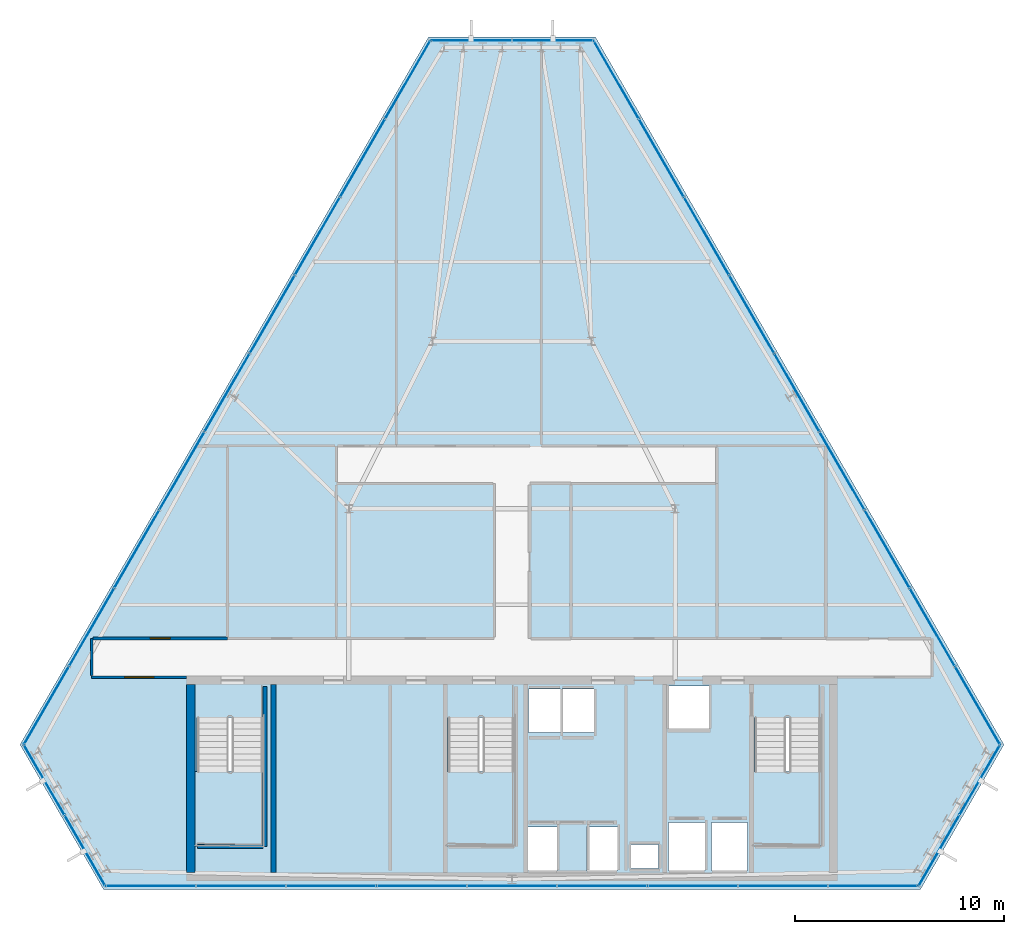
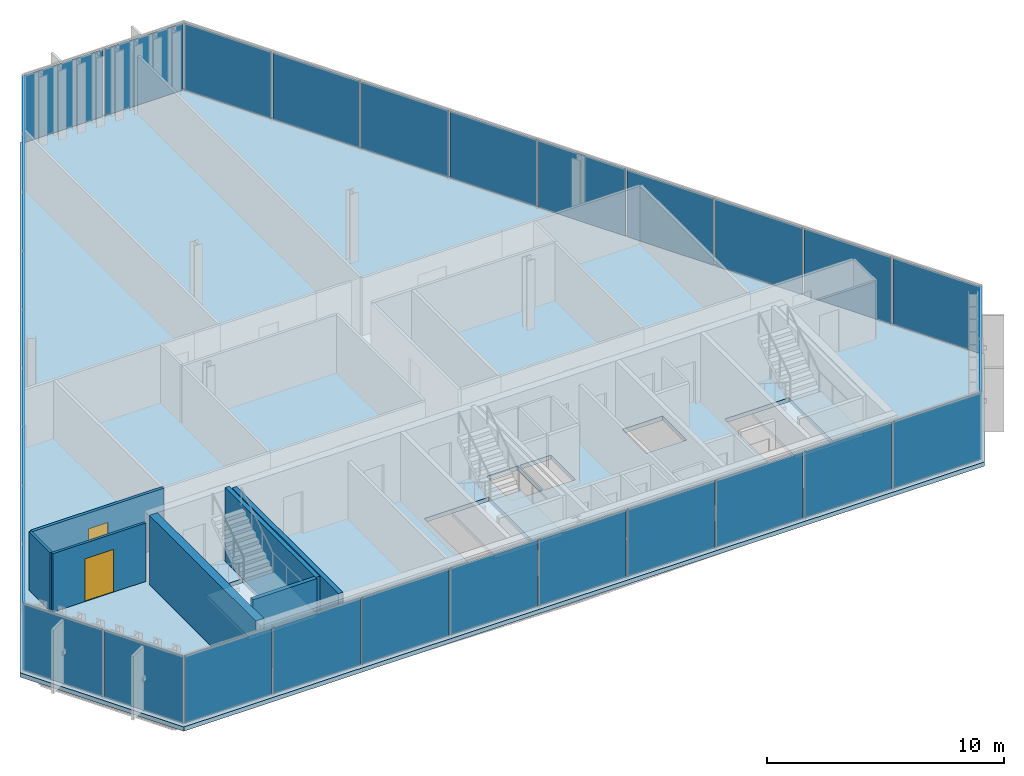
# One storey, part 23 of 30: 33 plates, 7 walls, 4 slabs, 2 doors, 2 openings, 9 elements without a shape of their own.
"""IFC4 building model written with IfcOpenShell, lengths in metres."""

from ifc_helpers import new_model, si_unit, direction, frame, frame_2d, origin, origin_2d, place, context, subcontext, project, spatial, polyline, rectangle, outline, extrude, material, layer, layer_set, type_object, element, fill, aggregate, save


model = new_model("IFC4")

# Units and contexts
model_context = context("Model", 3, precision=1e-05, world=origin(), true_north=direction((0.0, 1.0)))
body_context = subcontext(model_context, "Body", "Model", "MODEL_VIEW")
ifc_project = project(units=[si_unit("LENGTHUNIT", "METRE"), si_unit("AREAUNIT", "SQUARE_METRE"), si_unit("VOLUMEUNIT", "CUBIC_METRE"), si_unit("PLANEANGLEUNIT", "RADIAN"), si_unit("MASSUNIT", "GRAM", prefix="KILO")], contexts=[model_context])

# Site, building, storey
site_placement = place(None, origin())
site = spatial("IfcSite", under=ifc_project, at=site_placement, CompositionType="ELEMENT")
building_placement = place(site_placement, origin())
building = spatial("IfcBuilding", under=site, at=building_placement, Name="Ndaravel Arena Tower", CompositionType="ELEMENT")
storey_placement = place(building_placement, frame((0.0, 0.0, 221.800048828125)))
storey = spatial("IfcBuildingStorey", under=building, at=storey_placement, Name="L53", CompositionType="ELEMENT", Elevation=221.800048828125)

# Curtain wall, plate
ifc_material_1 = material(Name="Aluminium", Category="aluminium")
ifc_layer_1 = layer(ifc_material_1, 0.179931640625)
ifc_layer_set_1 = layer_set([ifc_layer_1], Name="Aluminium")
curtain_wall_type_1 = type_object("IfcCurtainWallType", Name="CW-SYS-01", PredefinedType="NOTDEFINED", material=ifc_layer_set_1)
curtain_wall_1_placement = place(storey_placement, origin())
curtain_wall_1 = element("IfcCurtainWall", 1, at=curtain_wall_1_placement, inside=storey, type_object=curtain_wall_type_1, Name="L53 Faceted Crystal Curtain Wall CW-L53-E02", PredefinedType="NOTDEFINED")
ifc_material_2 = material(Name="Glazing", Category="glass")
ifc_layer_2 = layer(ifc_material_2, 0.035888671875)
ifc_layer_set_2 = layer_set([ifc_layer_2], Name="Glazing")
plate_type_1 = type_object("IfcPlateType", Name="PLT-CW-OPVENT", PredefinedType="CURTAIN_PANEL", material=ifc_layer_set_2)
plate_1_placement = place(storey_placement, frame((64.359619140625, 10.228759765625, 0.06005859375), z_axis=(0.0, 0.0, 1.0), x_axis=(0.5, 0.866025403784, 0.0)))
plate_1 = element("IfcPlate", 2, at=plate_1_placement, type_object=plate_type_1, Name="CW-L53-E02 Operable Vent Sash Panel 02", PredefinedType="CURTAIN_PANEL", context=body_context, shape_type="SweptSolid", body=[
    extrude(rectangle(XDim=3.82177734375, YDim=0.035888671875, at=origin_2d()), origin(), (0.0, 0.0, 1.0), 3.4599609375),
])

curtain_wall_2_placement = place(storey_placement, origin())
curtain_wall_2 = element("IfcCurtainWall", 3, at=curtain_wall_2_placement, inside=storey, type_object=curtain_wall_type_1, Name="L53 Faceted Crystal Curtain Wall CW-L53-E04", PredefinedType="NOTDEFINED")
plate_2_placement = place(storey_placement, frame((40.049072265625, 45.57763671875, 0.06005859375), z_axis=(0.0, 0.0, 1.0), x_axis=(-1.0, 0.0, 0.0)))
plate_2 = element("IfcPlate", 4, at=plate_2_placement, type_object=plate_type_1, Name="CW-L53-E04 Operable Vent Sash Panel 02", PredefinedType="CURTAIN_PANEL", context=body_context, shape_type="SweptSolid", body=[
    extrude(rectangle(XDim=3.82177734375, YDim=0.035888671875, at=origin_2d()), origin(), (0.0, 0.0, 1.0), 3.4599609375),
])

ifc_material_3 = material(Name="Aluminium", Category="aluminium")
ifc_layer_3 = layer(ifc_material_3, 0.179931640625)
ifc_layer_set_3 = layer_set([ifc_layer_3], Name="Aluminium")
curtain_wall_type_2 = type_object("IfcCurtainWallType", Name="CW-SYS-02", PredefinedType="NOTDEFINED", material=ifc_layer_set_3)
curtain_wall_3_placement = place(storey_placement, origin())
curtain_wall_3 = element("IfcCurtainWall", 5, at=curtain_wall_3_placement, inside=storey, type_object=curtain_wall_type_2, Name="L53 Faceted Crystal Curtain Wall CW-L53-E06", PredefinedType="NOTDEFINED")
plate_3_placement = place(storey_placement, frame((21.59130859375, 6.849609375, 0.06005859375), z_axis=(0.0, 0.0, 1.0), x_axis=(0.5, -0.866025403784, 0.0)))
plate_3 = element("IfcPlate", 6, at=plate_3_placement, type_object=plate_type_1, Name="CW-L53-E06 Operable Vent Sash Panel 02", PredefinedType="CURTAIN_PANEL", context=body_context, shape_type="SweptSolid", body=[
    extrude(rectangle(XDim=3.82177734375, YDim=0.035888671875, at=origin_2d()), origin(), (0.0, 0.0, 1.0), 3.4599609375),
])

# Plate
ifc_material_4 = material(Name="Glazing", Category="glass")
ifc_layer_4 = layer(ifc_material_4, 0.031982421875)
ifc_layer_set_4 = layer_set([ifc_layer_4], Name="Glazing")
plate_type_2 = type_object("IfcPlateType", Name="PLT-GLZ-FRIT35", PredefinedType="CURTAIN_PANEL", material=ifc_layer_set_4)
plate_4_placement = place(storey_placement, frame((62.40869140625, 6.849609375, 0.06005859375), z_axis=(0.0, 0.0, 1.0), x_axis=(0.5, 0.866025403784, 0.0)))
plate_4 = element("IfcPlate", 7, at=plate_4_placement, type_object=plate_type_2, Name="CW-L53-E02 Vision Glass Panel 01", PredefinedType="CURTAIN_PANEL", context=body_context, shape_type="SweptSolid", body=[
    extrude(rectangle(XDim=3.82177734375, YDim=0.035888671875, at=origin_2d()), origin(), (0.0, 0.0, 1.0), 3.4599609375),
])

aggregate(curtain_wall_1, [plate_4, plate_1])

plate_5_placement = place(storey_placement, frame((43.950927734375, 45.57763671875, 0.06005859375), z_axis=(0.0, 0.0, 1.0), x_axis=(-1.0, 0.0, 0.0)))
plate_5 = element("IfcPlate", 8, at=plate_5_placement, type_object=plate_type_2, Name="CW-L53-E04 Vision Glass Panel 01", PredefinedType="CURTAIN_PANEL", context=body_context, shape_type="SweptSolid", body=[
    extrude(rectangle(XDim=3.82177734375, YDim=0.035888671875, at=origin_2d()), origin(), (0.0, 0.0, 1.0), 3.4599609375),
])

aggregate(curtain_wall_2, [plate_5, plate_2])

ifc_material_5 = material(Name="Glazing", Category="glass")
ifc_layer_5 = layer(ifc_material_5, 0.035888671875)
ifc_layer_set_5 = layer_set([ifc_layer_5], Name="Glazing")
plate_type_3 = type_object("IfcPlateType", Name="PLT-GLZ-FRIT55", PredefinedType="CURTAIN_PANEL", material=ifc_layer_set_5)
plate_6_placement = place(storey_placement, frame((19.640380859375, 10.228759765625, 0.06005859375), z_axis=(0.0, 0.0, 1.0), x_axis=(0.5, -0.866025403784, 0.0)))
plate_6 = element("IfcPlate", 9, at=plate_6_placement, type_object=plate_type_3, Name="CW-L53-E06 Vision Glass Panel 01", PredefinedType="CURTAIN_PANEL", context=body_context, shape_type="SweptSolid", body=[
    extrude(rectangle(XDim=3.82177734375, YDim=0.035888671875, at=origin_2d()), origin(), (0.0, 0.0, 1.0), 3.4599609375),
])

aggregate(curtain_wall_3, [plate_6, plate_3])

# Curtain wall, plates
ifc_material_6 = material(Name="Aluminium", Category="aluminium")
ifc_layer_6 = layer(ifc_material_6, 0.179931640625)
ifc_layer_set_6 = layer_set([ifc_layer_6], Name="Aluminium")
curtain_wall_type_3 = type_object("IfcCurtainWallType", Name="CW-SYS-03", PredefinedType="NOTDEFINED", material=ifc_layer_set_6)
curtain_wall_4_placement = place(storey_placement, origin())
curtain_wall_4 = element("IfcCurtainWall", 10, at=curtain_wall_4_placement, inside=storey, type_object=curtain_wall_type_3, Name="L53 Faceted Crystal Curtain Wall CW-L53-E01", PredefinedType="NOTDEFINED")
ifc_material_7 = material(Name="Glazing", Category="glass")
ifc_layer_7 = layer(ifc_material_7, 0.0400390625)
ifc_layer_set_7 = layer_set([ifc_layer_7], Name="Glazing")
plate_type_4 = type_object("IfcPlateType", Name="PLT-GLZ-LOWIRON", PredefinedType="CURTAIN_PANEL", material=ifc_layer_set_7)
plate_7_placement = place(storey_placement, frame((24.72607421875, 5.159912109375, 0.06005859375), z_axis=(0.0, 0.0, 1.0), x_axis=(1.0, 0.0, 0.0)))
plate_7 = element("IfcPlate", 11, at=plate_7_placement, type_object=plate_type_4, Name="CW-L53-E01 Vision Glass Panel 01", PredefinedType="CURTAIN_PANEL", context=body_context, shape_type="SweptSolid", body=[
    extrude(rectangle(XDim=4.238525390625, YDim=0.035888671875, at=origin_2d()), origin(), (0.0, 0.0, 1.0), 3.4599609375),
])
plate_8_placement = place(storey_placement, frame((29.04443359375, 5.159912109375, 0.06005859375), z_axis=(0.0, 0.0, 1.0), x_axis=(1.0, 0.0, 0.0)))
plate_8 = element("IfcPlate", 12, at=plate_8_placement, type_object=plate_type_4, Name="CW-L53-E01 Vision Glass Panel 02", PredefinedType="CURTAIN_PANEL", context=body_context, shape_type="SweptSolid", body=[
    extrude(rectangle(XDim=4.238525390625, YDim=0.035888671875, at=origin_2d()), origin(), (0.0, 0.0, 1.0), 3.4599609375),
])
plate_9_placement = place(storey_placement, frame((33.363037109375, 5.159912109375, 0.06005859375), z_axis=(0.0, 0.0, 1.0), x_axis=(1.0, 0.0, 0.0)))
plate_9 = element("IfcPlate", 13, at=plate_9_placement, type_object=plate_type_4, Name="CW-L53-E01 Vision Glass Panel 03", PredefinedType="CURTAIN_PANEL", context=body_context, shape_type="SweptSolid", body=[
    extrude(rectangle(XDim=4.238525390625, YDim=0.035888671875, at=origin_2d()), origin(), (0.0, 0.0, 1.0), 3.4599609375),
])
plate_10_placement = place(storey_placement, frame((37.681396484375, 5.159912109375, 0.06005859375), z_axis=(0.0, 0.0, 1.0), x_axis=(1.0, 0.0, 0.0)))
plate_10 = element("IfcPlate", 14, at=plate_10_placement, type_object=plate_type_4, Name="CW-L53-E01 Vision Glass Panel 04", PredefinedType="CURTAIN_PANEL", context=body_context, shape_type="SweptSolid", body=[
    extrude(rectangle(XDim=4.238525390625, YDim=0.035888671875, at=origin_2d()), origin(), (0.0, 0.0, 1.0), 3.4599609375),
])
plate_11_placement = place(storey_placement, frame((42.0, 5.159912109375, 0.06005859375), z_axis=(0.0, 0.0, 1.0), x_axis=(1.0, 0.0, 0.0)))
plate_11 = element("IfcPlate", 15, at=plate_11_placement, type_object=plate_type_4, Name="CW-L53-E01 Vision Glass Panel 05", PredefinedType="CURTAIN_PANEL", context=body_context, shape_type="SweptSolid", body=[
    extrude(rectangle(XDim=4.238525390625, YDim=0.035888671875, at=origin_2d()), origin(), (0.0, 0.0, 1.0), 3.4599609375),
])
plate_12_placement = place(storey_placement, frame((46.318603515625, 5.159912109375, 0.06005859375), z_axis=(0.0, 0.0, 1.0), x_axis=(1.0, 0.0, 0.0)))
plate_12 = element("IfcPlate", 16, at=plate_12_placement, type_object=plate_type_4, Name="CW-L53-E01 Vision Glass Panel 06", PredefinedType="CURTAIN_PANEL", context=body_context, shape_type="SweptSolid", body=[
    extrude(rectangle(XDim=4.238525390625, YDim=0.035888671875, at=origin_2d()), origin(), (0.0, 0.0, 1.0), 3.4599609375),
])
plate_13_placement = place(storey_placement, frame((50.636962890625, 5.159912109375, 0.06005859375), z_axis=(0.0, 0.0, 1.0), x_axis=(1.0, 0.0, 0.0)))
plate_13 = element("IfcPlate", 17, at=plate_13_placement, type_object=plate_type_4, Name="CW-L53-E01 Vision Glass Panel 07", PredefinedType="CURTAIN_PANEL", context=body_context, shape_type="SweptSolid", body=[
    extrude(rectangle(XDim=4.238525390625, YDim=0.035888671875, at=origin_2d()), origin(), (0.0, 0.0, 1.0), 3.4599609375),
])
plate_14_placement = place(storey_placement, frame((54.95556640625, 5.159912109375, 0.06005859375), z_axis=(0.0, 0.0, 1.0), x_axis=(1.0, 0.0, 0.0)))
plate_14 = element("IfcPlate", 18, at=plate_14_placement, type_object=plate_type_4, Name="CW-L53-E01 Vision Glass Panel 08", PredefinedType="CURTAIN_PANEL", context=body_context, shape_type="SweptSolid", body=[
    extrude(rectangle(XDim=4.238525390625, YDim=0.035888671875, at=origin_2d()), origin(), (0.0, 0.0, 1.0), 3.4599609375),
])
plate_15_placement = place(storey_placement, frame((59.27392578125, 5.159912109375, 0.06005859375), z_axis=(0.0, 0.0, 1.0), x_axis=(1.0, 0.0, 0.0)))
plate_15 = element("IfcPlate", 19, at=plate_15_placement, type_object=plate_type_4, Name="CW-L53-E01 Vision Glass Panel 09", PredefinedType="CURTAIN_PANEL", context=body_context, shape_type="SweptSolid", body=[
    extrude(rectangle(XDim=4.238525390625, YDim=0.035888671875, at=origin_2d()), origin(), (0.0, 0.0, 1.0), 3.4599609375),
])
aggregate(curtain_wall_4, [plate_7, plate_8, plate_9, plate_10, plate_11, plate_12, plate_13, plate_14, plate_15])

curtain_wall_5_placement = place(storey_placement, origin())
curtain_wall_5 = element("IfcCurtainWall", 20, at=curtain_wall_5_placement, inside=storey, type_object=curtain_wall_type_3, Name="L53 Faceted Crystal Curtain Wall CW-L53-E03", PredefinedType="NOTDEFINED")
plate_16_placement = place(storey_placement, frame((64.255615234375, 13.7880859375, 0.06005859375), z_axis=(0.0, 0.0, 1.0), x_axis=(-0.5, 0.866025403784, 0.0)))
plate_16 = element("IfcPlate", 21, at=plate_16_placement, type_object=plate_type_4, Name="CW-L53-E03 Vision Glass Panel 01", PredefinedType="CURTAIN_PANEL", context=body_context, shape_type="SweptSolid", body=[
    extrude(rectangle(XDim=4.238525390625, YDim=0.035888671875, at=origin_2d()), origin(), (0.0, 0.0, 1.0), 3.4599609375),
])
plate_17_placement = place(storey_placement, frame((62.09619140625, 17.528076171875, 0.06005859375), z_axis=(0.0, 0.0, 1.0), x_axis=(-0.5, 0.866025403784, 0.0)))
plate_17 = element("IfcPlate", 22, at=plate_17_placement, type_object=plate_type_4, Name="CW-L53-E03 Vision Glass Panel 02", PredefinedType="CURTAIN_PANEL", context=body_context, shape_type="SweptSolid", body=[
    extrude(rectangle(XDim=4.238525390625, YDim=0.035888671875, at=origin_2d()), origin(), (0.0, 0.0, 1.0), 3.4599609375),
])
plate_18_placement = place(storey_placement, frame((59.93701171875, 21.26806640625, 0.06005859375), z_axis=(0.0, 0.0, 1.0), x_axis=(-0.5, 0.866025403784, 0.0)))
plate_18 = element("IfcPlate", 23, at=plate_18_placement, type_object=plate_type_4, Name="CW-L53-E03 Vision Glass Panel 03", PredefinedType="CURTAIN_PANEL", context=body_context, shape_type="SweptSolid", body=[
    extrude(rectangle(XDim=4.238525390625, YDim=0.035888671875, at=origin_2d()), origin(), (0.0, 0.0, 1.0), 3.4599609375),
])
plate_19_placement = place(storey_placement, frame((57.777587890625, 25.008056640625, 0.06005859375), z_axis=(0.0, 0.0, 1.0), x_axis=(-0.5, 0.866025403784, 0.0)))
plate_19 = element("IfcPlate", 24, at=plate_19_placement, type_object=plate_type_4, Name="CW-L53-E03 Vision Glass Panel 04", PredefinedType="CURTAIN_PANEL", context=body_context, shape_type="SweptSolid", body=[
    extrude(rectangle(XDim=4.238525390625, YDim=0.035888671875, at=origin_2d()), origin(), (0.0, 0.0, 1.0), 3.4599609375),
])
plate_20_placement = place(storey_placement, frame((55.618408203125, 28.748046875, 0.06005859375), z_axis=(0.0, 0.0, 1.0), x_axis=(-0.5, 0.866025403784, 0.0)))
plate_20 = element("IfcPlate", 25, at=plate_20_placement, type_object=plate_type_4, Name="CW-L53-E03 Vision Glass Panel 05", PredefinedType="CURTAIN_PANEL", context=body_context, shape_type="SweptSolid", body=[
    extrude(rectangle(XDim=4.238525390625, YDim=0.035888671875, at=origin_2d()), origin(), (0.0, 0.0, 1.0), 3.4599609375),
])
plate_21_placement = place(storey_placement, frame((53.459228515625, 32.48779296875, 0.06005859375), z_axis=(0.0, 0.0, 1.0), x_axis=(-0.5, 0.866025403784, 0.0)))
plate_21 = element("IfcPlate", 26, at=plate_21_placement, type_object=plate_type_4, Name="CW-L53-E03 Vision Glass Panel 06", PredefinedType="CURTAIN_PANEL", context=body_context, shape_type="SweptSolid", body=[
    extrude(rectangle(XDim=4.238525390625, YDim=0.035888671875, at=origin_2d()), origin(), (0.0, 0.0, 1.0), 3.4599609375),
])
plate_22_placement = place(storey_placement, frame((51.2998046875, 36.227783203125, 0.06005859375), z_axis=(0.0, 0.0, 1.0), x_axis=(-0.5, 0.866025403784, 0.0)))
plate_22 = element("IfcPlate", 27, at=plate_22_placement, type_object=plate_type_4, Name="CW-L53-E03 Vision Glass Panel 07", PredefinedType="CURTAIN_PANEL", context=body_context, shape_type="SweptSolid", body=[
    extrude(rectangle(XDim=4.238525390625, YDim=0.035888671875, at=origin_2d()), origin(), (0.0, 0.0, 1.0), 3.4599609375),
])
plate_23_placement = place(storey_placement, frame((49.140625, 39.9677734375, 0.06005859375), z_axis=(0.0, 0.0, 1.0), x_axis=(-0.5, 0.866025403784, 0.0)))
plate_23 = element("IfcPlate", 28, at=plate_23_placement, type_object=plate_type_4, Name="CW-L53-E03 Vision Glass Panel 08", PredefinedType="CURTAIN_PANEL", context=body_context, shape_type="SweptSolid", body=[
    extrude(rectangle(XDim=4.238525390625, YDim=0.035888671875, at=origin_2d()), origin(), (0.0, 0.0, 1.0), 3.4599609375),
])
plate_24_placement = place(storey_placement, frame((46.9814453125, 43.707763671875, 0.06005859375), z_axis=(0.0, 0.0, 1.0), x_axis=(-0.5, 0.866025403784, 0.0)))
plate_24 = element("IfcPlate", 29, at=plate_24_placement, type_object=plate_type_4, Name="CW-L53-E03 Vision Glass Panel 09", PredefinedType="CURTAIN_PANEL", context=body_context, shape_type="SweptSolid", body=[
    extrude(rectangle(XDim=4.238525390625, YDim=0.035888671875, at=origin_2d()), origin(), (0.0, 0.0, 1.0), 3.4599609375),
])
aggregate(curtain_wall_5, [plate_16, plate_17, plate_18, plate_19, plate_20, plate_21, plate_22, plate_23, plate_24])

curtain_wall_6_placement = place(storey_placement, origin())
curtain_wall_6 = element("IfcCurtainWall", 30, at=curtain_wall_6_placement, inside=storey, type_object=curtain_wall_type_3, Name="L53 Faceted Crystal Curtain Wall CW-L53-E05", PredefinedType="NOTDEFINED")
plate_25_placement = place(storey_placement, frame((37.0185546875, 43.707763671875, 0.06005859375), z_axis=(0.0, 0.0, 1.0), x_axis=(-0.5, -0.866025403784, 0.0)))
plate_25 = element("IfcPlate", 31, at=plate_25_placement, type_object=plate_type_4, Name="CW-L53-E05 Vision Glass Panel 01", PredefinedType="CURTAIN_PANEL", context=body_context, shape_type="SweptSolid", body=[
    extrude(rectangle(XDim=4.238525390625, YDim=0.035888671875, at=origin_2d()), origin(), (0.0, 0.0, 1.0), 3.4599609375),
])
plate_26_placement = place(storey_placement, frame((34.859375, 39.9677734375, 0.06005859375), z_axis=(0.0, 0.0, 1.0), x_axis=(-0.5, -0.866025403784, 0.0)))
plate_26 = element("IfcPlate", 32, at=plate_26_placement, type_object=plate_type_4, Name="CW-L53-E05 Vision Glass Panel 02", PredefinedType="CURTAIN_PANEL", context=body_context, shape_type="SweptSolid", body=[
    extrude(rectangle(XDim=4.238525390625, YDim=0.035888671875, at=origin_2d()), origin(), (0.0, 0.0, 1.0), 3.4599609375),
])
plate_27_placement = place(storey_placement, frame((32.7001953125, 36.227783203125, 0.06005859375), z_axis=(0.0, 0.0, 1.0), x_axis=(-0.5, -0.866025403784, 0.0)))
plate_27 = element("IfcPlate", 33, at=plate_27_placement, type_object=plate_type_4, Name="CW-L53-E05 Vision Glass Panel 03", PredefinedType="CURTAIN_PANEL", context=body_context, shape_type="SweptSolid", body=[
    extrude(rectangle(XDim=4.238525390625, YDim=0.035888671875, at=origin_2d()), origin(), (0.0, 0.0, 1.0), 3.4599609375),
])
plate_28_placement = place(storey_placement, frame((30.540771484375, 32.48779296875, 0.06005859375), z_axis=(0.0, 0.0, 1.0), x_axis=(-0.5, -0.866025403784, 0.0)))
plate_28 = element("IfcPlate", 34, at=plate_28_placement, type_object=plate_type_4, Name="CW-L53-E05 Vision Glass Panel 04", PredefinedType="CURTAIN_PANEL", context=body_context, shape_type="SweptSolid", body=[
    extrude(rectangle(XDim=4.238525390625, YDim=0.035888671875, at=origin_2d()), origin(), (0.0, 0.0, 1.0), 3.4599609375),
])
plate_29_placement = place(storey_placement, frame((28.381591796875, 28.747802734375, 0.06005859375), z_axis=(0.0, 0.0, 1.0), x_axis=(-0.5, -0.866025403784, 0.0)))
plate_29 = element("IfcPlate", 35, at=plate_29_placement, type_object=plate_type_4, Name="CW-L53-E05 Vision Glass Panel 05", PredefinedType="CURTAIN_PANEL", context=body_context, shape_type="SweptSolid", body=[
    extrude(rectangle(XDim=4.238525390625, YDim=0.035888671875, at=origin_2d()), origin(), (0.0, 0.0, 1.0), 3.4599609375),
])
plate_30_placement = place(storey_placement, frame((26.222412109375, 25.008056640625, 0.06005859375), z_axis=(0.0, 0.0, 1.0), x_axis=(-0.5, -0.866025403784, 0.0)))
plate_30 = element("IfcPlate", 36, at=plate_30_placement, type_object=plate_type_4, Name="CW-L53-E05 Vision Glass Panel 06", PredefinedType="CURTAIN_PANEL", context=body_context, shape_type="SweptSolid", body=[
    extrude(rectangle(XDim=4.238525390625, YDim=0.035888671875, at=origin_2d()), origin(), (0.0, 0.0, 1.0), 3.4599609375),
])
plate_31_placement = place(storey_placement, frame((24.06298828125, 21.26806640625, 0.06005859375), z_axis=(0.0, 0.0, 1.0), x_axis=(-0.5, -0.866025403784, 0.0)))
plate_31 = element("IfcPlate", 37, at=plate_31_placement, type_object=plate_type_4, Name="CW-L53-E05 Vision Glass Panel 07", PredefinedType="CURTAIN_PANEL", context=body_context, shape_type="SweptSolid", body=[
    extrude(rectangle(XDim=4.238525390625, YDim=0.035888671875, at=origin_2d()), origin(), (0.0, 0.0, 1.0), 3.4599609375),
])
plate_32_placement = place(storey_placement, frame((21.90380859375, 17.528076171875, 0.06005859375), z_axis=(0.0, 0.0, 1.0), x_axis=(-0.5, -0.866025403784, 0.0)))
plate_32 = element("IfcPlate", 38, at=plate_32_placement, type_object=plate_type_4, Name="CW-L53-E05 Vision Glass Panel 08", PredefinedType="CURTAIN_PANEL", context=body_context, shape_type="SweptSolid", body=[
    extrude(rectangle(XDim=4.238525390625, YDim=0.035888671875, at=origin_2d()), origin(), (0.0, 0.0, 1.0), 3.4599609375),
])
plate_33_placement = place(storey_placement, frame((19.744384765625, 13.7880859375, 0.06005859375), z_axis=(0.0, 0.0, 1.0), x_axis=(-0.5, -0.866025403784, 0.0)))
plate_33 = element("IfcPlate", 39, at=plate_33_placement, type_object=plate_type_4, Name="CW-L53-E05 Vision Glass Panel 09", PredefinedType="CURTAIN_PANEL", context=body_context, shape_type="SweptSolid", body=[
    extrude(rectangle(XDim=4.238525390625, YDim=0.035888671875, at=origin_2d()), origin(), (0.0, 0.0, 1.0), 3.4599609375),
])
aggregate(curtain_wall_6, [plate_25, plate_26, plate_27, plate_28, plate_29, plate_30, plate_31, plate_32, plate_33])

# Stair, slab
ifc_material_8 = material(Name="Concrete C40/50", Category="concrete")
stair_type = type_object("IfcStairType", Name="STAIR-CORE-HT", PredefinedType="HALF_TURN_STAIR", material=ifc_material_8)
stair_1_placement = place(storey_placement, origin())
stair_1 = element("IfcStair", 40, at=stair_1_placement, inside=storey, type_object=stair_type, Name="L53 ST-1", PredefinedType="HALF_TURN_STAIR")
ifc_material_9 = material(Name="Concrete C40/50", Category="concrete")
ifc_layer_8 = layer(ifc_material_9, 0.199951171875)
ifc_layer_set_8 = layer_set([ifc_layer_8], Name="Concrete C40/50")
slab_type_1 = type_object("IfcSlabType", Name="SLAB-STAIR-LANDING", PredefinedType="LANDING", material=ifc_layer_set_8)
slab_1_placement = place(storey_placement, frame((0.0, 0.0, 1.699951171875)))
slab_1 = element("IfcSlab", 41, at=slab_1_placement, type_object=slab_type_1, Name="ST-1 landing 1", PredefinedType="LANDING", context=body_context, shape_type="SweptSolid", body=[
    extrude(outline(polyline([(26.81005859375, 10.6298828125), (26.81005859375, 7.070068359375), (30.169921875, 7.070068359375), (30.169921875, 10.6298828125), (26.81005859375, 10.6298828125)])), origin(), (0.0, 0.0, 1.0), 0.199951171875),
])
aggregate(stair_1, [slab_1])

stair_2_placement = place(storey_placement, origin())
stair_2 = element("IfcStair", 42, at=stair_2_placement, inside=storey, type_object=stair_type, Name="L53 ST-2", PredefinedType="HALF_TURN_STAIR")
slab_2_placement = place(storey_placement, frame((0.0, 0.0, 1.699951171875)))
slab_2 = element("IfcSlab", 43, at=slab_2_placement, type_object=slab_type_1, Name="ST-2 landing 1", PredefinedType="LANDING", context=body_context, shape_type="SweptSolid", body=[
    extrude(outline(polyline([(38.81005859375, 10.6298828125), (38.81005859375, 7.070068359375), (42.169921875, 7.070068359375), (42.169921875, 10.6298828125), (38.81005859375, 10.6298828125)])), origin(), (0.0, 0.0, 1.0), 0.199951171875),
])
aggregate(stair_2, [slab_2])

stair_3_placement = place(storey_placement, origin())
stair_3 = element("IfcStair", 44, at=stair_3_placement, inside=storey, type_object=stair_type, Name="L53 ST-3", PredefinedType="HALF_TURN_STAIR")
slab_3_placement = place(storey_placement, frame((0.0, 0.0, 1.699951171875)))
slab_3 = element("IfcSlab", 45, at=slab_3_placement, type_object=slab_type_1, Name="ST-3 landing 1", PredefinedType="LANDING", context=body_context, shape_type="SweptSolid", body=[
    extrude(outline(polyline([(53.4599609375, 10.6298828125), (53.4599609375, 7.070068359375), (56.820068359375, 7.070068359375), (56.820068359375, 10.6298828125), (53.4599609375, 10.6298828125)])), origin(), (0.0, 0.0, 1.0), 0.199951171875),
])
aggregate(stair_3, [slab_3])

# Slab
ifc_material_10 = material(Name="Concrete C40/50", Category="concrete")
ifc_layer_9 = layer(ifc_material_10, 0.219970703125)
ifc_layer_set_9 = layer_set([ifc_layer_9], Name="Concrete C40/50")
slab_type_2 = type_object("IfcSlabType", Name="SLAB-TWR-220", PredefinedType="FLOOR", material=ifc_layer_set_9)
slab_4_placement = place(storey_placement, frame((0.0, 0.0, -0.219970703125)))
element("IfcSlab", 46, at=slab_4_placement, inside=storey, type_object=slab_type_2, Name="L53 Structural Floor Slab", PredefinedType="FLOOR", context=body_context, shape_type="SweptSolid", body=[
    extrude(outline(polyline([(18.47998046875, 11.918212890625), (22.474365234375, 5.0), (61.525634765625, 5.0), (65.52001953125, 11.918212890625), (45.994140625, 45.73779296875), (38.005859375, 45.73779296875), (18.47998046875, 11.918212890625)]), holes=[polyline([(26.949951171875, 13.215087890625), (26.949951171875, 7.14990234375), (30.090087890625, 7.14990234375), (30.090087890625, 13.215087890625), (26.949951171875, 13.215087890625)]), polyline([(38.949951171875, 13.215087890625), (38.949951171875, 7.14990234375), (42.090087890625, 7.14990234375), (42.090087890625, 13.215087890625), (38.949951171875, 13.215087890625)]), polyline([(53.60009765625, 13.215087890625), (53.60009765625, 7.14990234375), (56.739990234375, 7.14990234375), (56.739990234375, 13.215087890625), (53.60009765625, 13.215087890625)]), polyline([(42.659912109375, 5.909912109375), (44.139892578125, 5.909912109375), (44.139892578125, 7.989990234375), (42.659912109375, 7.989990234375), (42.659912109375, 5.909912109375)]), polyline([(45.56005859375, 5.909912109375), (47.0400390625, 5.909912109375), (47.0400390625, 7.989990234375), (45.56005859375, 7.989990234375), (45.56005859375, 5.909912109375)]), polyline([(42.784912109375, 12.510009765625), (44.31494140625, 12.510009765625), (44.31494140625, 14.590087890625), (42.784912109375, 14.590087890625), (42.784912109375, 12.510009765625)]), polyline([(44.385009765625, 12.510009765625), (45.9150390625, 12.510009765625), (45.9150390625, 14.590087890625), (44.385009765625, 14.590087890625), (44.385009765625, 12.510009765625)]), polyline([(49.485107421875, 5.909912109375), (51.215087890625, 5.909912109375), (51.215087890625, 8.18994140625), (49.485107421875, 8.18994140625), (49.485107421875, 5.909912109375)]), polyline([(51.534912109375, 5.909912109375), (53.264892578125, 5.909912109375), (53.264892578125, 8.18994140625), (51.534912109375, 8.18994140625), (51.534912109375, 5.909912109375)]), polyline([(49.4599609375, 12.68505859375), (51.43994140625, 12.68505859375), (51.43994140625, 14.715087890625), (49.4599609375, 14.715087890625), (49.4599609375, 12.68505859375)]), polyline([(47.699951171875, 6.0), (49.0, 6.0), (49.0, 7.139892578125), (47.699951171875, 7.139892578125), (47.699951171875, 6.0)])]), origin(), (0.0, 0.0, 1.0), 0.219970703125),
])

# Walls
ifc_material_11 = material(Name="Concrete C50/60", Category="concrete")
ifc_layer_10 = layer(ifc_material_11, 0.219970703125)
ifc_layer_set_10 = layer_set([ifc_layer_10], Name="Concrete C50/60")
wall_type_1 = type_object("IfcWallType", Name="WALL-CORE-220", PredefinedType="SOLIDWALL", material=ifc_layer_set_10)
wall_1_placement = place(storey_placement, frame((30.60009765625, 5.800048828125, 0.0), z_axis=(0.0, 0.0, 1.0), x_axis=(0.0, 1.0, 0.0)))
element("IfcWall", 47, at=wall_1_placement, inside=storey, type_object=wall_type_1, Name="L53 Core Web Shear Wall 1", PredefinedType="SOLIDWALL", context=body_context, shape_type="SweptSolid", body=[
    extrude(rectangle(XDim=9.0, YDim=0.219970703125, at=frame_2d((4.5, 0.0))), origin(), (0.0, 0.0, 1.0), 3.579833984375),
])
ifc_material_12 = material(Name="Concrete C50/60", Category="concrete")
ifc_layer_11 = layer(ifc_material_12, 0.39990234375)
ifc_layer_set_11 = layer_set([ifc_layer_11], Name="Concrete C50/60")
wall_type_2 = type_object("IfcWallType", Name="WALL-CORE-400", PredefinedType="SOLIDWALL", material=ifc_layer_set_11)
wall_2_placement = place(storey_placement, frame((26.64990234375, 5.800048828125, 0.0), z_axis=(0.0, 0.0, 1.0), x_axis=(0.0, 1.0, 0.0)))
element("IfcWall", 48, at=wall_2_placement, inside=storey, type_object=wall_type_2, Name="L53 Core West Shear Wall", PredefinedType="SOLIDWALL", context=body_context, shape_type="SweptSolid", body=[
    extrude(rectangle(XDim=9.0, YDim=0.39990234375, at=frame_2d((4.5, 0.0))), origin(), (0.0, 0.0, 1.0), 3.579833984375),
])

# Wall, opening, door
ifc_material_13 = material(Name="Gypsum", Category="gypsum")
ifc_layer_12 = layer(ifc_material_13, 0.125)
ifc_layer_set_12 = layer_set([ifc_layer_12], Name="Gypsum")
wall_type_3 = type_object("IfcWallType", Name="WALL-PART-125", PredefinedType="PARTITIONING", material=ifc_layer_set_12)
wall_3_placement = place(storey_placement, frame((26.449951171875, 15.14990234375, 0.0), z_axis=(0.0, 0.0, 1.0), x_axis=(-1.0, 0.0, 0.0)))
wall_3 = element("IfcWall", 49, at=wall_3_placement, inside=storey, type_object=wall_type_3, Name="L53 Interior Partition 003", PredefinedType="PARTITIONING", context=body_context, shape_type="SweptSolid", body=[
    extrude(rectangle(XDim=4.541015625, YDim=0.125, at=frame_2d((2.2705078125, 0.0))), origin(), (0.0, 0.0, 1.0), 3.010498046875),
])
opening_1_placement = place(wall_3_placement, frame((1.570556640625, 0.0, 0.0)))
opening_1 = element("IfcOpeningElement", 50, at=opening_1_placement, cuts=wall_3, Name="Opening ID-02", PredefinedType="OPENING", context=body_context, shape_type="SweptSolid", body=[
    extrude(rectangle(XDim=1.39990234375, YDim=2.199951171875, at=frame_2d((0.699951171875, 1.10009765625))), frame((0.0, 0.0625, 0.0), z_axis=(0.0, -1.0, 0.0), x_axis=(1.0, 0.0, 0.0)), (0.0, 0.0, 1.0), 0.125),
])
ifc_material_14 = material(Name="Timber", Category="wood")
door_type_1 = type_object("IfcDoorType", Name="DT-04-SUITE-1400", OperationType="DOUBLE_DOOR_SINGLE_SWING", PredefinedType="DOOR", material=ifc_material_14)
door_1_placement = place(opening_1_placement, origin())
door_1 = element("IfcDoor", 51, at=door_1_placement, inside=storey, type_object=door_type_1, Name="L53 Collaborative Lounge Door", OperationType="SINGLE_SWING_RIGHT", OverallHeight=2.199951171875, OverallWidth=1.39990234375, PredefinedType="DOOR", context=body_context, shape_type="SweptSolid", body=[
    extrude(rectangle(XDim=1.39990234375, YDim=2.199951171875, at=frame_2d((0.699951171875, 1.10009765625))), frame((0.0, 0.02490234375, 0.0), z_axis=(0.0, -1.0, 0.0), x_axis=(1.0, 0.0, 0.0)), (0.0, 0.0, 1.0), 0.050048828125),
])
fill(opening_1, door_1)

# Walls
wall_4_placement = place(storey_placement, frame((21.908935546875, 15.215087890625, 0.0), z_axis=(0.0, 0.0, 1.0), x_axis=(0.0, 1.0, 0.0)))
element("IfcWall", 52, at=wall_4_placement, inside=storey, type_object=wall_type_3, Name="L53 Interior Partition 004", PredefinedType="PARTITIONING", context=body_context, shape_type="SweptSolid", body=[
    extrude(rectangle(XDim=1.784912109375, YDim=0.125, at=frame_2d((0.892578125, 0.0))), origin(), (0.0, 0.0, 1.0), 3.010498046875),
])
ifc_material_15 = material(Name="Concrete C40/50", Category="concrete")
ifc_layer_13 = layer(ifc_material_15, 0.199951171875)
ifc_layer_set_13 = layer_set([ifc_layer_13], Name="Concrete C40/50")
wall_type_4 = type_object("IfcWallType", Name="WALL-SHAFT-200", PredefinedType="SOLIDWALL", material=ifc_layer_set_13)
wall_5_placement = place(storey_placement, frame((30.18994140625, 14.699951171875, 0.0), z_axis=(0.0, 0.0, 1.0), x_axis=(0.0, -1.0, 0.0)))
element("IfcWall", 53, at=wall_5_placement, inside=storey, type_object=wall_type_4, Name="L53 ST-1 Structural Shaft Wall Right", PredefinedType="SOLIDWALL", context=body_context, shape_type="SweptSolid", body=[
    extrude(rectangle(XDim=7.64990234375, YDim=0.199951171875, at=frame_2d((3.824951171875, 0.0))), origin(), (0.0, 0.0, 1.0), 3.800048828125),
])
wall_6_placement = place(storey_placement, frame((26.969970703125, 7.050048828125, 0.0), z_axis=(0.0, 0.0, 1.0), x_axis=(1.0, 0.0, 0.0)))
element("IfcWall", 54, at=wall_6_placement, inside=storey, type_object=wall_type_4, Name="L53 ST-1 Structural Shaft Wall Far", PredefinedType="SOLIDWALL", context=body_context, shape_type="SweptSolid", body=[
    extrude(rectangle(XDim=3.114990234375, YDim=0.199951171875, at=frame_2d((1.5576171875, 0.0))), origin(), (0.0, 0.0, 1.0), 3.800048828125),
])

# Wall, opening, door
ifc_material_16 = material(Name="Masonry", Category="masonry")
ifc_layer_14 = layer(ifc_material_16, 0.14990234375)
ifc_layer_set_14 = layer_set([ifc_layer_14], Name="Masonry")
wall_type_5 = type_object("IfcWallType", Name="WALL-WET-150", PredefinedType="PARTITIONING", material=ifc_layer_set_14)
wall_7_placement = place(storey_placement, frame((21.97412109375, 17.0, 0.0), z_axis=(0.0, 0.0, 1.0), x_axis=(1.0, 0.0, 0.0)))
wall_7 = element("IfcWall", 55, at=wall_7_placement, inside=storey, type_object=wall_type_5, Name="L53 Interior Partition 005", PredefinedType="PARTITIONING", context=body_context, shape_type="SweptSolid", body=[
    extrude(rectangle(XDim=6.42578125, YDim=0.14990234375, at=frame_2d((3.212890625, 0.0))), origin(), (0.0, 0.0, 1.0), 3.010498046875),
])
opening_2_placement = place(wall_7_placement, frame((2.738037109375, 0.0, 0.0)))
opening_2 = element("IfcOpeningElement", 56, at=opening_2_placement, cuts=wall_7, Name="Opening FD-03", PredefinedType="OPENING", context=body_context, shape_type="SweptSolid", body=[
    extrude(rectangle(XDim=0.949951171875, YDim=2.199951171875, at=frame_2d((0.47509765625, 1.10009765625))), frame((0.0, 0.074951171875, 0.0), z_axis=(0.0, -1.0, 0.0), x_axis=(1.0, 0.0, 0.0)), (0.0, 0.0, 1.0), 0.14990234375),
])
ifc_material_17 = material(Name="Steel S355", Category="steel")
door_type_2 = type_object("IfcDoorType", Name="DT-11-CORE-950", OperationType="SINGLE_SWING_LEFT", PredefinedType="DOOR", material=ifc_material_17)
door_2_placement = place(opening_2_placement, origin())
door_2 = element("IfcDoor", 57, at=door_2_placement, inside=storey, type_object=door_type_2, Name="L53 Staff Espresso Kitchen Door", OperationType="SINGLE_SWING_LEFT", OverallHeight=2.199951171875, OverallWidth=0.949951171875, PredefinedType="DOOR", context=body_context, shape_type="SweptSolid", body=[
    extrude(rectangle(XDim=0.949951171875, YDim=2.199951171875, at=frame_2d((0.47509765625, 1.10009765625))), frame((0.0, 0.02490234375, 0.0), z_axis=(0.0, -1.0, 0.0), x_axis=(1.0, 0.0, 0.0)), (0.0, 0.0, 1.0), 0.050048828125),
])
fill(opening_2, door_2)

save(model, "model.ifc")
